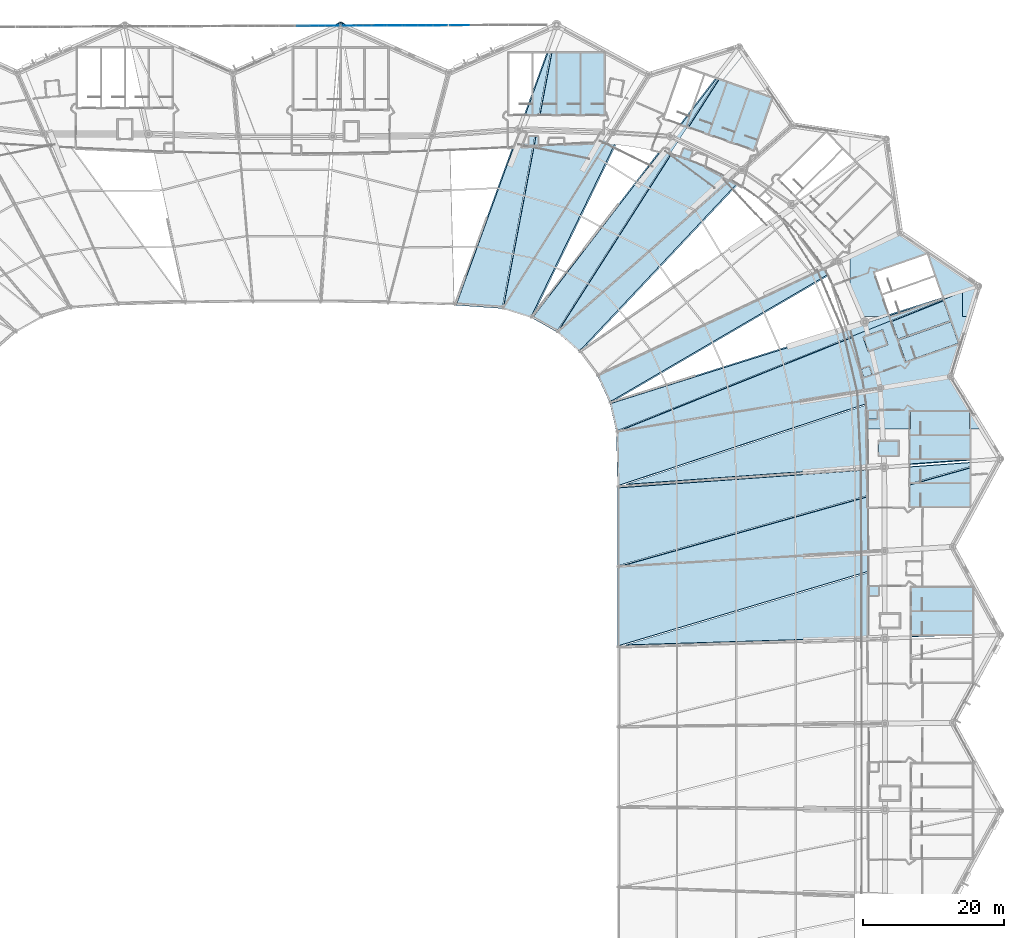
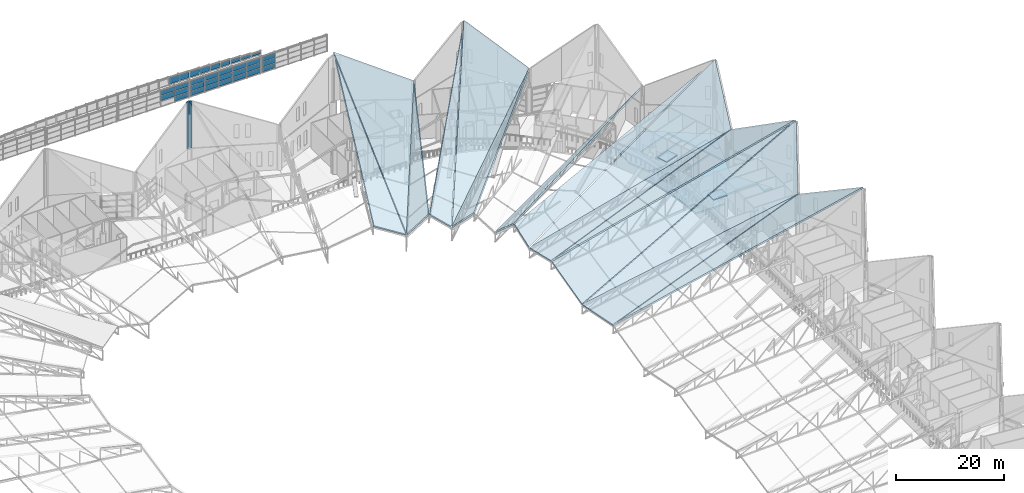
# One storey, part 239 of 344: 33 plates, 19 slabs, 12 elements without a shape of their own.
"""IFC4 building model written with IfcOpenShell, lengths in metres."""

from ifc_helpers import new_model, si_unit, direction, frame, origin, origin_2d, place, context, subcontext, project, spatial, polyline, rectangle, outline, extrude, material, layer, layer_set, type_object, element, aggregate, save


model = new_model("IFC4")

# Units and contexts
model_context = context("Model", 3, precision=1e-05, world=origin(), true_north=direction((0.0, 1.0)))
body_context = subcontext(model_context, "Body", "Model", "MODEL_VIEW")
ifc_project = project(units=[si_unit("LENGTHUNIT", "METRE"), si_unit("AREAUNIT", "SQUARE_METRE"), si_unit("VOLUMEUNIT", "CUBIC_METRE"), si_unit("PLANEANGLEUNIT", "RADIAN"), si_unit("MASSUNIT", "GRAM", prefix="KILO")], contexts=[model_context])

# Site, building, storey
site_placement = place(None, origin())
site = spatial("IfcSite", under=ifc_project, at=site_placement, CompositionType="ELEMENT")
building_placement = place(site_placement, origin())
building = spatial("IfcBuilding", under=site, at=building_placement, Name="Meseta Stadium", CompositionType="ELEMENT")
storey_placement = place(building_placement, frame((0.0, 0.0, 24.0)))
storey = spatial("IfcBuildingStorey", under=building, at=storey_placement, Name="L04", CompositionType="ELEMENT", Elevation=24.0)

# Curtain wall, plate
ifc_material_1 = material(Name="Aluminium", Category="aluminium")
ifc_layer_1 = layer(ifc_material_1, 0.199951171875)
ifc_layer_set_1 = layer_set([ifc_layer_1], Name="Gable glazing curtain wall")
curtain_wall_type = type_object("IfcCurtainWallType", Name="Gable glazing curtain wall", PredefinedType="NOTDEFINED", material=ifc_layer_set_1)
curtain_wall_1_placement = place(storey_placement, origin())
curtain_wall_1 = element("IfcCurtainWall", 1, at=curtain_wall_1_placement, inside=storey, type_object=curtain_wall_type, Name="Gable glazing north bay 08", PredefinedType="NOTDEFINED")
ifc_material_2 = material(Name="Glass", Category="glass")
ifc_layer_2 = layer(ifc_material_2, 0.035888671875)
ifc_layer_set_2 = layer_set([ifc_layer_2], Name="CW glass panel 36")
plate_type_1 = type_object("IfcPlateType", Name="CW glass panel 36", PredefinedType="CURTAIN_PANEL", material=ifc_layer_set_2)
plate_1_placement = place(storey_placement, frame((21.880615234375, 105.336669921875, 22.0048828125), z_axis=(0.0, 0.0, 1.0), x_axis=(-0.999992598213, -0.003847534233, 0.0)))
plate_1 = element("IfcPlate", 2, at=plate_1_placement, type_object=plate_type_1, Name="CWG panel 1.1", PredefinedType="CURTAIN_PANEL", context=body_context, shape_type="SweptSolid", body=[
    extrude(rectangle(XDim=2.002685546875, YDim=0.035888671875, at=origin_2d()), origin(), (0.0, 0.0, 1.0), 0.43701171875),
])
aggregate(curtain_wall_1, [plate_1])

curtain_wall_2_placement = place(storey_placement, origin())
curtain_wall_2 = element("IfcCurtainWall", 3, at=curtain_wall_2_placement, inside=storey, type_object=curtain_wall_type, Name="Gable glazing north bay 09", PredefinedType="NOTDEFINED")
plate_2_placement = place(storey_placement, frame((19.694091796875, 105.328369140625, 22.0048828125), z_axis=(0.0, 0.0, 1.0), x_axis=(-0.999992598213, -0.003847534233, 0.0)))
plate_2 = element("IfcPlate", 4, at=plate_2_placement, type_object=plate_type_1, Name="CWG panel 1.1", PredefinedType="CURTAIN_PANEL", context=body_context, shape_type="SweptSolid", body=[
    extrude(rectangle(XDim=2.002685546875, YDim=0.035888671875, at=origin_2d()), origin(), (0.0, 0.0, 1.0), 0.589111328125),
])
aggregate(curtain_wall_2, [plate_2])

curtain_wall_3_placement = place(storey_placement, origin())
curtain_wall_3 = element("IfcCurtainWall", 5, at=curtain_wall_3_placement, inside=storey, type_object=curtain_wall_type, Name="Gable glazing north bay 10", PredefinedType="NOTDEFINED")
plate_3_placement = place(storey_placement, frame((17.50732421875, 105.31982421875, 22.0048828125), z_axis=(0.0, 0.0, 1.0), x_axis=(-0.999992598213, -0.003847534233, 0.0)))
plate_3 = element("IfcPlate", 6, at=plate_3_placement, type_object=plate_type_1, Name="CWG panel 1.1", PredefinedType="CURTAIN_PANEL", context=body_context, shape_type="SweptSolid", body=[
    extrude(rectangle(XDim=2.002685546875, YDim=0.035888671875, at=origin_2d()), origin(), (0.0, 0.0, 1.0), 0.778564453125),
])
aggregate(curtain_wall_3, [plate_3])

curtain_wall_4_placement = place(storey_placement, origin())
curtain_wall_4 = element("IfcCurtainWall", 7, at=curtain_wall_4_placement, inside=storey, type_object=curtain_wall_type, Name="Gable glazing north bay 11", PredefinedType="NOTDEFINED")
plate_4_placement = place(storey_placement, frame((15.320556640625, 105.3115234375, 22.0048828125), z_axis=(0.0, 0.0, 1.0), x_axis=(-0.999992598213, -0.003847534233, 0.0)))
plate_4 = element("IfcPlate", 8, at=plate_4_placement, type_object=plate_type_1, Name="CWG panel 1.1", PredefinedType="CURTAIN_PANEL", context=body_context, shape_type="SweptSolid", body=[
    extrude(rectangle(XDim=2.002685546875, YDim=0.035888671875, at=origin_2d()), origin(), (0.0, 0.0, 1.0), 0.905517578125),
])
aggregate(curtain_wall_4, [plate_4])

curtain_wall_5_placement = place(storey_placement, origin())
curtain_wall_5 = element("IfcCurtainWall", 9, at=curtain_wall_5_placement, inside=storey, type_object=curtain_wall_type, Name="Gable glazing north bay 12", PredefinedType="NOTDEFINED")
plate_5_placement = place(storey_placement, frame((13.1337890625, 105.302978515625, 22.0048828125), z_axis=(0.0, 0.0, 1.0), x_axis=(-0.999992598213, -0.003847534233, 0.0)))
plate_5 = element("IfcPlate", 10, at=plate_5_placement, type_object=plate_type_1, Name="CWG panel 1.1", PredefinedType="CURTAIN_PANEL", context=body_context, shape_type="SweptSolid", body=[
    extrude(rectangle(XDim=2.002685546875, YDim=0.035888671875, at=origin_2d()), origin(), (0.0, 0.0, 1.0), 1.02001953125),
])
aggregate(curtain_wall_5, [plate_5])

curtain_wall_6_placement = place(storey_placement, origin())
curtain_wall_6 = element("IfcCurtainWall", 11, at=curtain_wall_6_placement, inside=storey, type_object=curtain_wall_type, Name="Gable glazing north bay 13", PredefinedType="NOTDEFINED")
plate_6_placement = place(storey_placement, frame((10.947265625, 105.294677734375, 22.0048828125), z_axis=(0.0, 0.0, 1.0), x_axis=(-0.999992598213, -0.003847534233, 0.0)))
plate_6 = element("IfcPlate", 12, at=plate_6_placement, type_object=plate_type_1, Name="CWG panel 1.1", PredefinedType="CURTAIN_PANEL", context=body_context, shape_type="SweptSolid", body=[
    extrude(rectangle(XDim=2.002685546875, YDim=0.035888671875, at=origin_2d()), origin(), (0.0, 0.0, 1.0), 1.12255859375),
])
aggregate(curtain_wall_6, [plate_6])

curtain_wall_7_placement = place(storey_placement, origin())
curtain_wall_7 = element("IfcCurtainWall", 13, at=curtain_wall_7_placement, inside=storey, type_object=curtain_wall_type, Name="Gable glazing north bay 14", PredefinedType="NOTDEFINED")
plate_7_placement = place(storey_placement, frame((8.760498046875, 105.2861328125, 22.0048828125), z_axis=(0.0, 0.0, 1.0), x_axis=(-0.999992598213, -0.003847534233, 0.0)))
plate_7 = element("IfcPlate", 14, at=plate_7_placement, type_object=plate_type_1, Name="CWG panel 1.1", PredefinedType="CURTAIN_PANEL", context=body_context, shape_type="SweptSolid", body=[
    extrude(rectangle(XDim=2.002685546875, YDim=0.035888671875, at=origin_2d()), origin(), (0.0, 0.0, 1.0), 1.213134765625),
])
aggregate(curtain_wall_7, [plate_7])

curtain_wall_8_placement = place(storey_placement, origin())
curtain_wall_8 = element("IfcCurtainWall", 15, at=curtain_wall_8_placement, inside=storey, type_object=curtain_wall_type, Name="Gable glazing north bay 15", PredefinedType="NOTDEFINED")
plate_8_placement = place(storey_placement, frame((6.570068359375, 105.27783203125, 22.0048828125), z_axis=(0.0, 0.0, 1.0), x_axis=(-0.999992598211, -0.003847534652, 0.0)))
plate_8 = element("IfcPlate", 16, at=plate_8_placement, type_object=plate_type_1, Name="CWG panel 1.1", PredefinedType="CURTAIN_PANEL", context=body_context, shape_type="SweptSolid", body=[
    extrude(rectangle(XDim=2.01025390625, YDim=0.035888671875, at=origin_2d()), origin(), (0.0, 0.0, 1.0), 1.292236328125),
])
aggregate(curtain_wall_8, [plate_8])

curtain_wall_9_placement = place(storey_placement, origin())
curtain_wall_9 = element("IfcCurtainWall", 17, at=curtain_wall_9_placement, inside=storey, type_object=curtain_wall_type, Name="Gable glazing north bay 16", PredefinedType="NOTDEFINED")
plate_9_placement = place(storey_placement, frame((4.375732421875, 105.269287109375, 22.0048828125), z_axis=(0.0, 0.0, 1.0), x_axis=(-0.999992598213, -0.003847534181, 0.0)))
plate_9 = element("IfcPlate", 18, at=plate_9_placement, type_object=plate_type_1, Name="CWG panel 1.1", PredefinedType="CURTAIN_PANEL", context=body_context, shape_type="SweptSolid", body=[
    extrude(rectangle(XDim=2.01025390625, YDim=0.035888671875, at=origin_2d()), origin(), (0.0, 0.0, 1.0), 1.3603515625),
])
aggregate(curtain_wall_9, [plate_9])

# Curtain wall, plates
curtain_wall_10_placement = place(storey_placement, origin())
curtain_wall_10 = element("IfcCurtainWall", 19, at=curtain_wall_10_placement, inside=storey, type_object=curtain_wall_type, Name="Gable glazing north lower bay 01", PredefinedType="NOTDEFINED")
plate_10_placement = place(storey_placement, frame((24.567626953125, 105.346923828125, 17.75), z_axis=(0.0, 0.0, 1.0), x_axis=(-0.999992598213, -0.003847534181, 0.0)))
plate_10 = element("IfcPlate", 20, at=plate_10_placement, type_object=plate_type_1, Name="CWG panel 5.1", PredefinedType="CURTAIN_PANEL", context=body_context, shape_type="SweptSolid", body=[
    extrude(rectangle(XDim=2.67626953125, YDim=0.035888671875, at=origin_2d()), origin(), (0.0, 0.0, 1.0), 0.986572265625),
])
plate_11_placement = place(storey_placement, frame((24.567626953125, 105.346923828125, 18.88671875), z_axis=(0.0, 0.0, 1.0), x_axis=(-0.999992598213, -0.003847534181, 0.0)))
plate_11 = element("IfcPlate", 21, at=plate_11_placement, type_object=plate_type_1, Name="CWG panel 5.2", PredefinedType="CURTAIN_PANEL", context=body_context, shape_type="SweptSolid", body=[
    extrude(rectangle(XDim=2.67626953125, YDim=0.035888671875, at=origin_2d()), origin(), (0.0, 0.0, 1.0), 1.061767578125),
])
plate_12_placement = place(storey_placement, frame((24.567626953125, 105.346923828125, 20.09814453125), z_axis=(0.0, 0.0, 1.0), x_axis=(-0.999992598213, -0.003847534181, 0.0)))
plate_12 = element("IfcPlate", 22, at=plate_12_placement, type_object=plate_type_1, Name="CWG panel 5.3", PredefinedType="CURTAIN_PANEL", context=body_context, shape_type="SweptSolid", body=[
    extrude(rectangle(XDim=2.67626953125, YDim=0.035888671875, at=origin_2d()), origin(), (0.0, 0.0, 1.0), 0.986572265625),
])
aggregate(curtain_wall_10, [plate_10, plate_11, plate_12])

curtain_wall_11_placement = place(storey_placement, origin())
curtain_wall_11 = element("IfcCurtainWall", 23, at=curtain_wall_11_placement, inside=storey, type_object=curtain_wall_type, Name="Gable glazing north lower bay 02", PredefinedType="NOTDEFINED")
plate_13_placement = place(storey_placement, frame((21.27197265625, 105.33447265625, 17.75), z_axis=(0.0, 0.0, 1.0), x_axis=(-0.999992598213, -0.003847534198, 0.0)))
plate_13 = element("IfcPlate", 24, at=plate_13_placement, type_object=plate_type_1, Name="CWG panel 1.1", PredefinedType="CURTAIN_PANEL", context=body_context, shape_type="SweptSolid", body=[
    extrude(rectangle(XDim=2.893310546875, YDim=0.035888671875, at=origin_2d()), origin(), (0.0, 0.0, 1.0), 0.986572265625),
])
plate_14_placement = place(storey_placement, frame((21.27197265625, 105.33447265625, 18.88671875), z_axis=(0.0, 0.0, 1.0), x_axis=(-0.999992598213, -0.003847534198, 0.0)))
plate_14 = element("IfcPlate", 25, at=plate_14_placement, type_object=plate_type_1, Name="CWG panel 1.2", PredefinedType="CURTAIN_PANEL", context=body_context, shape_type="SweptSolid", body=[
    extrude(rectangle(XDim=2.893310546875, YDim=0.035888671875, at=origin_2d()), origin(), (0.0, 0.0, 1.0), 1.061767578125),
])
plate_15_placement = place(storey_placement, frame((21.27197265625, 105.33447265625, 20.09814453125), z_axis=(0.0, 0.0, 1.0), x_axis=(-0.999992598213, -0.003847534198, 0.0)))
plate_15 = element("IfcPlate", 26, at=plate_15_placement, type_object=plate_type_1, Name="CWG panel 1.3", PredefinedType="CURTAIN_PANEL", context=body_context, shape_type="SweptSolid", body=[
    extrude(rectangle(XDim=2.893310546875, YDim=0.035888671875, at=origin_2d()), origin(), (0.0, 0.0, 1.0), 0.986572265625),
])
plate_16_placement = place(storey_placement, frame((18.3037109375, 105.322998046875, 17.75), z_axis=(0.0, 0.0, 1.0), x_axis=(-0.999992598213, -0.003847534198, 0.0)))
plate_16 = element("IfcPlate", 27, at=plate_16_placement, type_object=plate_type_1, Name="CWG panel 2.1", PredefinedType="CURTAIN_PANEL", context=body_context, shape_type="SweptSolid", body=[
    extrude(rectangle(XDim=2.923095703125, YDim=0.035888671875, at=origin_2d()), origin(), (0.0, 0.0, 1.0), 0.986572265625),
])
plate_17_placement = place(storey_placement, frame((18.3037109375, 105.322998046875, 18.88671875), z_axis=(0.0, 0.0, 1.0), x_axis=(-0.999992598213, -0.003847534198, 0.0)))
plate_17 = element("IfcPlate", 28, at=plate_17_placement, type_object=plate_type_1, Name="CWG panel 2.2", PredefinedType="CURTAIN_PANEL", context=body_context, shape_type="SweptSolid", body=[
    extrude(rectangle(XDim=2.923095703125, YDim=0.035888671875, at=origin_2d()), origin(), (0.0, 0.0, 1.0), 1.061767578125),
])
plate_18_placement = place(storey_placement, frame((18.3037109375, 105.322998046875, 20.09814453125), z_axis=(0.0, 0.0, 1.0), x_axis=(-0.999992598213, -0.003847534198, 0.0)))
plate_18 = element("IfcPlate", 29, at=plate_18_placement, type_object=plate_type_1, Name="CWG panel 2.3", PredefinedType="CURTAIN_PANEL", context=body_context, shape_type="SweptSolid", body=[
    extrude(rectangle(XDim=2.923095703125, YDim=0.035888671875, at=origin_2d()), origin(), (0.0, 0.0, 1.0), 0.986572265625),
])
plate_19_placement = place(storey_placement, frame((15.320556640625, 105.3115234375, 17.75), z_axis=(0.0, 0.0, 1.0), x_axis=(-0.999992598213, -0.003847534198, 0.0)))
plate_19 = element("IfcPlate", 30, at=plate_19_placement, type_object=plate_type_1, Name="CWG panel 3.1", PredefinedType="CURTAIN_PANEL", context=body_context, shape_type="SweptSolid", body=[
    extrude(rectangle(XDim=2.923095703125, YDim=0.035888671875, at=origin_2d()), origin(), (0.0, 0.0, 1.0), 0.986572265625),
])
plate_20_placement = place(storey_placement, frame((15.320556640625, 105.3115234375, 18.88671875), z_axis=(0.0, 0.0, 1.0), x_axis=(-0.999992598213, -0.003847534198, 0.0)))
plate_20 = element("IfcPlate", 31, at=plate_20_placement, type_object=plate_type_1, Name="CWG panel 3.2", PredefinedType="CURTAIN_PANEL", context=body_context, shape_type="SweptSolid", body=[
    extrude(rectangle(XDim=2.923095703125, YDim=0.035888671875, at=origin_2d()), origin(), (0.0, 0.0, 1.0), 1.061767578125),
])
plate_21_placement = place(storey_placement, frame((15.320556640625, 105.3115234375, 20.09814453125), z_axis=(0.0, 0.0, 1.0), x_axis=(-0.999992598213, -0.003847534198, 0.0)))
plate_21 = element("IfcPlate", 32, at=plate_21_placement, type_object=plate_type_1, Name="CWG panel 3.3", PredefinedType="CURTAIN_PANEL", context=body_context, shape_type="SweptSolid", body=[
    extrude(rectangle(XDim=2.923095703125, YDim=0.035888671875, at=origin_2d()), origin(), (0.0, 0.0, 1.0), 0.986572265625),
])
plate_22_placement = place(storey_placement, frame((12.33740234375, 105.300048828125, 17.75), z_axis=(0.0, 0.0, 1.0), x_axis=(-0.999992598213, -0.003847534198, 0.0)))
plate_22 = element("IfcPlate", 33, at=plate_22_placement, type_object=plate_type_1, Name="CWG panel 4.1", PredefinedType="CURTAIN_PANEL", context=body_context, shape_type="SweptSolid", body=[
    extrude(rectangle(XDim=2.923095703125, YDim=0.035888671875, at=origin_2d()), origin(), (0.0, 0.0, 1.0), 0.986572265625),
])
plate_23_placement = place(storey_placement, frame((12.33740234375, 105.300048828125, 18.88671875), z_axis=(0.0, 0.0, 1.0), x_axis=(-0.999992598213, -0.003847534198, 0.0)))
plate_23 = element("IfcPlate", 34, at=plate_23_placement, type_object=plate_type_1, Name="CWG panel 4.2", PredefinedType="CURTAIN_PANEL", context=body_context, shape_type="SweptSolid", body=[
    extrude(rectangle(XDim=2.923095703125, YDim=0.035888671875, at=origin_2d()), origin(), (0.0, 0.0, 1.0), 1.061767578125),
])
plate_24_placement = place(storey_placement, frame((12.33740234375, 105.300048828125, 20.09814453125), z_axis=(0.0, 0.0, 1.0), x_axis=(-0.999992598213, -0.003847534198, 0.0)))
plate_24 = element("IfcPlate", 35, at=plate_24_placement, type_object=plate_type_1, Name="CWG panel 4.3", PredefinedType="CURTAIN_PANEL", context=body_context, shape_type="SweptSolid", body=[
    extrude(rectangle(XDim=2.923095703125, YDim=0.035888671875, at=origin_2d()), origin(), (0.0, 0.0, 1.0), 0.986572265625),
])
plate_25_placement = place(storey_placement, frame((9.369140625, 105.28857421875, 17.75), z_axis=(0.0, 0.0, 1.0), x_axis=(-0.999992598213, -0.003847534198, 0.0)))
plate_25 = element("IfcPlate", 36, at=plate_25_placement, type_object=plate_type_1, Name="CWG panel 5.1", PredefinedType="CURTAIN_PANEL", context=body_context, shape_type="SweptSolid", body=[
    extrude(rectangle(XDim=2.893310546875, YDim=0.035888671875, at=origin_2d()), origin(), (0.0, 0.0, 1.0), 0.986572265625),
])
plate_26_placement = place(storey_placement, frame((9.369140625, 105.28857421875, 18.88671875), z_axis=(0.0, 0.0, 1.0), x_axis=(-0.999992598213, -0.003847534198, 0.0)))
plate_26 = element("IfcPlate", 37, at=plate_26_placement, type_object=plate_type_1, Name="CWG panel 5.2", PredefinedType="CURTAIN_PANEL", context=body_context, shape_type="SweptSolid", body=[
    extrude(rectangle(XDim=2.893310546875, YDim=0.035888671875, at=origin_2d()), origin(), (0.0, 0.0, 1.0), 1.061767578125),
])
plate_27_placement = place(storey_placement, frame((9.369140625, 105.28857421875, 20.09814453125), z_axis=(0.0, 0.0, 1.0), x_axis=(-0.999992598213, -0.003847534198, 0.0)))
plate_27 = element("IfcPlate", 38, at=plate_27_placement, type_object=plate_type_1, Name="CWG panel 5.3", PredefinedType="CURTAIN_PANEL", context=body_context, shape_type="SweptSolid", body=[
    extrude(rectangle(XDim=2.893310546875, YDim=0.035888671875, at=origin_2d()), origin(), (0.0, 0.0, 1.0), 0.986572265625),
])
aggregate(curtain_wall_11, [plate_13, plate_14, plate_15, plate_16, plate_17, plate_18, plate_19, plate_20, plate_21, plate_22, plate_23, plate_24, plate_25, plate_26, plate_27])

curtain_wall_12_placement = place(storey_placement, origin())
curtain_wall_12 = element("IfcCurtainWall", 39, at=curtain_wall_12_placement, inside=storey, type_object=curtain_wall_type, Name="Gable glazing north lower bay 03", PredefinedType="NOTDEFINED")
plate_28_placement = place(storey_placement, frame((5.959716796875, 105.275390625, 17.75), z_axis=(0.0, 0.0, 1.0), x_axis=(-0.999992598213, -0.003847534216, 0.0)))
plate_28 = element("IfcPlate", 40, at=plate_28_placement, type_object=plate_type_1, Name="CWG panel 1.1", PredefinedType="CURTAIN_PANEL", context=body_context, shape_type="SweptSolid", body=[
    extrude(rectangle(XDim=2.903564453125, YDim=0.035888671875, at=origin_2d()), origin(), (0.0, 0.0, 1.0), 0.986572265625),
])
plate_29_placement = place(storey_placement, frame((5.959716796875, 105.275390625, 18.88671875), z_axis=(0.0, 0.0, 1.0), x_axis=(-0.999992598213, -0.003847534216, 0.0)))
plate_29 = element("IfcPlate", 41, at=plate_29_placement, type_object=plate_type_1, Name="CWG panel 1.2", PredefinedType="CURTAIN_PANEL", context=body_context, shape_type="SweptSolid", body=[
    extrude(rectangle(XDim=2.903564453125, YDim=0.035888671875, at=origin_2d()), origin(), (0.0, 0.0, 1.0), 1.061767578125),
])
plate_30_placement = place(storey_placement, frame((5.959716796875, 105.275390625, 20.09814453125), z_axis=(0.0, 0.0, 1.0), x_axis=(-0.999992598213, -0.003847534216, 0.0)))
plate_30 = element("IfcPlate", 42, at=plate_30_placement, type_object=plate_type_1, Name="CWG panel 1.3", PredefinedType="CURTAIN_PANEL", context=body_context, shape_type="SweptSolid", body=[
    extrude(rectangle(XDim=2.903564453125, YDim=0.035888671875, at=origin_2d()), origin(), (0.0, 0.0, 1.0), 0.986572265625),
])
plate_31_placement = place(storey_placement, frame((2.981201171875, 105.263916015625, 18.88671875), z_axis=(0.0, 0.0, 1.0), x_axis=(-0.999992598213, -0.003847534216, 0.0)))
plate_31 = element("IfcPlate", 43, at=plate_31_placement, type_object=plate_type_1, Name="CWG panel 2.2", PredefinedType="CURTAIN_PANEL", context=body_context, shape_type="SweptSolid", body=[
    extrude(rectangle(XDim=2.93359375, YDim=0.035888671875, at=origin_2d()), origin(), (0.0, 0.0, 1.0), 1.061767578125),
])
plate_32_placement = place(storey_placement, frame((2.981201171875, 105.263916015625, 20.09814453125), z_axis=(0.0, 0.0, 1.0), x_axis=(-0.999992598213, -0.003847534216, 0.0)))
plate_32 = element("IfcPlate", 44, at=plate_32_placement, type_object=plate_type_1, Name="CWG panel 2.3", PredefinedType="CURTAIN_PANEL", context=body_context, shape_type="SweptSolid", body=[
    extrude(rectangle(XDim=2.93359375, YDim=0.035888671875, at=origin_2d()), origin(), (0.0, 0.0, 1.0), 0.986572265625),
])
aggregate(curtain_wall_12, [plate_28, plate_29, plate_30, plate_31, plate_32])

# Slabs
ifc_material_3 = material(Name="Concrete C40/50", Category="concrete")
ifc_layer_3 = layer(ifc_material_3, 0.25)
ifc_layer_set_3 = layer_set([ifc_layer_3], Name="Core roof slab 250")
slab_type_1 = type_object("IfcSlabType", Name="Core roof slab 250", PredefinedType="ROOF", material=ifc_layer_set_3)
slab_1_placement = place(storey_placement, frame((0.0, 0.0, 4.60009765625)))
element("IfcSlab", 45, at=slab_1_placement, inside=storey, type_object=slab_type_1, Name="Core 05 lift overrun roof", PredefinedType="ROOF", context=body_context, shape_type="SweptSolid", body=[
    extrude(outline(polyline([(87.0, 44.10009765625), (84.0, 44.10009765625), (84.0, 46.39990234375), (87.0, 46.39990234375), (87.0, 44.10009765625)])), origin(), (0.0, 0.0, 1.0), 0.25),
])
slab_2_placement = place(storey_placement, frame((0.0, 0.0, 4.60009765625)))
element("IfcSlab", 46, at=slab_2_placement, inside=storey, type_object=slab_type_1, Name="Core 06 lift overrun roof", PredefinedType="ROOF", context=body_context, shape_type="SweptSolid", body=[
    extrude(outline(polyline([(85.432861328125, 59.93115234375), (82.60107421875, 58.940185546875), (81.841552734375, 61.111083984375), (84.673095703125, 62.10205078125), (85.432861328125, 59.93115234375)])), origin(), (0.0, 0.0, 1.0), 0.25),
])
ifc_material_4 = material(Name="Concrete C40/50", Category="concrete")
ifc_layer_4 = layer(ifc_material_4, 0.39990234375)
ifc_layer_set_4 = layer_set([ifc_layer_4], Name="Floor slab 400")
slab_type_2 = type_object("IfcSlabType", Name="Floor slab 400", PredefinedType="FLOOR", material=ifc_layer_set_4)
slab_3_placement = place(storey_placement, frame((0.0, 0.0, -0.39990234375)))
element("IfcSlab", 47, at=slab_3_placement, inside=storey, type_object=slab_type_2, Name="Floor slab L04 sector 07 panel 07", PredefinedType="FLOOR", context=body_context, shape_type="SweptSolid", body=[
    extrude(outline(polyline([(84.956787109375, 64.0), (85.63037109375, 64.211181640625), (84.647705078125, 67.01953125), (92.104248046875, 69.62890625), (93.1611328125, 66.6083984375), (92.1708984375, 66.26171875), (96.0, 67.46240234375), (96.0, 64.0), (96.955078125, 64.0), (98.291015625, 68.297607421875), (87.15087890625, 75.856689453125), (80.0, 72.48828125), (80.0, 68.13232421875), (81.772705078125, 64.0), (84.956787109375, 64.0)]), holes=[polyline([(90.981201171875, 72.837890625), (92.0380859375, 69.8173828125), (84.58154296875, 67.208251953125), (83.524658203125, 70.228759765625), (90.981201171875, 72.837890625)])]), origin(), (0.0, 0.0, 1.0), 0.39990234375),
])
slab_4_placement = place(storey_placement, frame((0.0, 0.0, -0.39990234375)))
element("IfcSlab", 48, at=slab_4_placement, inside=storey, type_object=slab_type_2, Name="Floor slab L04 sector 07 panel 08", PredefinedType="FLOOR", context=body_context, shape_type="SweptSolid", body=[
    extrude(outline(polyline([(85.70458984375, 63.9990234375), (85.63037109375, 64.211181640625), (79.852783203125, 62.399658203125), (80.31591796875, 60.90966796875), (80.735595703125, 59.406982421875), (81.11181640625, 57.89306640625), (81.444091796875, 56.368896484375), (81.732421875, 54.83544921875), (81.976318359375, 53.294189453125), (82.176025390625, 51.74609375), (82.330810546875, 50.19287109375), (82.44091796875, 48.63525390625), (82.44482421875, 48.0), (88.60009765625, 48.0), (88.60009765625, 50.449951171875), (97.0, 50.449951171875), (97.0, 48.0), (98.81689453125, 48.0), (94.29443359375, 55.44140625), (96.955078125, 64.0), (96.0, 64.0), (96.0, 67.46240234375), (92.1708984375, 66.26171875), (85.70458984375, 63.9990234375)]), holes=[polyline([(86.827392578125, 60.789794921875), (85.7705078125, 63.810302734375), (93.227294921875, 66.419677734375), (94.2841796875, 63.399169921875), (86.827392578125, 60.789794921875)]), polyline([(85.177978515625, 60.0537109375), (82.723876953125, 59.195068359375), (82.09619140625, 60.988525390625), (84.55029296875, 61.84716796875), (85.177978515625, 60.0537109375)]), polyline([(82.006103515625, 55.341796875), (81.60986328125, 56.474609375), (82.74267578125, 56.870849609375), (83.138916015625, 55.73828125), (82.006103515625, 55.341796875)]), polyline([(82.64990234375, 50.60009765625), (83.85009765625, 50.60009765625), (83.85009765625, 49.39990234375), (82.64990234375, 49.39990234375), (82.64990234375, 50.60009765625)]), polyline([(86.8935546875, 60.601318359375), (94.35009765625, 63.21044921875), (95.406982421875, 60.18994140625), (87.950439453125, 57.580810546875), (86.8935546875, 60.601318359375)])]), origin(), (0.0, 0.0, 1.0), 0.39990234375),
])

# Plate
ifc_material_5 = material(Name="White precast concrete C40/50", Category="concrete")
ifc_layer_5 = layer(ifc_material_5, 0.320068359375)
ifc_layer_set_5 = layer_set([ifc_layer_5], Name="Fold closer plate 320")
plate_type_2 = type_object("IfcPlateType", Name="Fold closer plate 320", PredefinedType="USERDEFINED", material=ifc_layer_set_5)
plate_33_placement = place(storey_placement, frame((0.0, 0.0, 6.0)))
element("IfcPlate", 49, at=plate_33_placement, inside=storey, type_object=plate_type_2, Name="Pleated fascia fold closer L04 F17", ObjectType="CLADDING", PredefinedType="USERDEFINED", context=body_context, shape_type="SweptSolid", body=[
    extrude(outline(polyline([(7.851806640625, 105.36181640625), (8.139404296875, 105.23388671875), (8.269287109375, 105.526611328125), (7.666748046875, 105.793701171875), (7.064208984375, 105.526611328125), (7.19384765625, 105.23388671875), (7.481689453125, 105.36181640625), (7.481689453125, 105.574951171875), (7.48388671875, 105.581298828125), (7.48974609375, 105.584716796875), (7.84716796875, 105.583251953125), (7.851806640625, 105.574951171875), (7.851806640625, 105.36181640625)])), origin(), (0.0, 0.0, 1.0), 10.482421875),
])

# Slabs
ifc_material_6 = material(Name="Precast concrete C40/50", Category="concrete")
ifc_layer_6 = layer(ifc_material_6, 0.300048828125)
ifc_layer_set_6 = layer_set([ifc_layer_6], Name="Roof plate 300")
slab_type_3 = type_object("IfcSlabType", Name="Roof plate 300", PredefinedType="ROOF", material=ifc_layer_set_6)
slab_5_placement = place(storey_placement, frame((46.990966796875, 28.453369140625, 3.7294921875), z_axis=(-0.143309945884, 0.1944806594, 0.97038112746), x_axis=(0.989215714087, 0.058109372585, 0.134445423209)))
element("IfcSlab", 50, at=slab_5_placement, inside=storey, type_object=slab_type_3, Name="Roof panel RP-06 A", PredefinedType="ROOF", context=body_context, shape_type="SweptSolid", body=[
    extrude(outline(polyline([(0.0, 0.0), (47.69847603443747, 0.0), (-0.3456059547069046, -11.498821843491665), (0.0, 0.0)])), origin(), (0.0, 0.0, -1.0), 0.300048828125),
])
slab_6_placement = place(storey_placement, frame((101.2890625, 18.953857421875, 16.88916015625), z_axis=(-0.194113262451, 0.385203453924, 0.902185313794), x_axis=(-0.979756077818, -0.030217915797, -0.197901252)))
element("IfcSlab", 51, at=slab_6_placement, inside=storey, type_object=slab_type_3, Name="Roof panel RP-06 B", PredefinedType="ROOF", context=body_context, shape_type="SweptSolid", body=[
    extrude(outline(polyline([(0.0, 0.0), (54.26080503017794, -8.881784197001252e-16), (7.456209639584778, -13.48764880214586), (0.0, 0.0)])), origin(), (0.0, 0.0, -1.0), 0.300048828125),
])
slab_7_placement = place(storey_placement, frame((99.8642578125, 43.420166015625, 16.651611328125), z_axis=(-0.163832267308, -0.246042309226, 0.955312603424), x_axis=(-0.937190981478, -0.263480969568, -0.228584432784)))
element("IfcSlab", 52, at=slab_7_placement, inside=storey, type_object=slab_type_3, Name="Roof panel RP-07 A", PredefinedType="ROOF", context=body_context, shape_type="SweptSolid", body=[
    extrude(outline(polyline([(0.0, 0.0), (56.416773166361104, 4.440892098500626e-16), (52.859868132725616, -10.85182777893812), (0.0, 0.0)])), origin(), (0.0, 0.0, -1.0), 0.300048828125),
])
slab_8_placement = place(storey_placement, frame((94.60009765625, 31.25, 10.199951171875), z_axis=(-0.096151630916, -0.434792076243, 0.895382998671), x_axis=(-0.989216258517, -0.058104880026, -0.134443359088)))
element("IfcSlab", 53, at=slab_8_placement, inside=storey, type_object=slab_type_3, Name="Roof panel RP-07 B", PredefinedType="ROOF", context=body_context, shape_type="SweptSolid", body=[
    extrude(outline(polyline([(0.0, 0.0), (47.693760543430166, 0.0), (-8.291598865147622, -13.248057424767351), (0.0, 0.0)])), origin(), (0.0, 0.0, -1.0), 0.300048828125),
])
slab_9_placement = place(storey_placement, frame((46.829345703125, 47.633544921875, 4.92724609375), z_axis=(-0.142261387941, 0.211889705106, 0.966883886706), x_axis=(0.980864191269, 0.161348374307, 0.108959352027)))
element("IfcSlab", 54, at=slab_9_placement, inside=storey, type_object=slab_type_3, Name="Roof panel RP-08 A", PredefinedType="ROOF", context=body_context, shape_type="SweptSolid", body=[
    extrude(outline(polyline([(0.0, 0.0), (47.761862251288925, -6.661338147750939e-16), (-0.9075918535988443, -7.834523039145061), (0.0, 0.0)])), origin(), (0.0, 0.0, -1.0), 0.300048828125),
])
slab_10_placement = place(storey_placement, frame((101.2802734375, 43.94677734375, 16.885498046875), z_axis=(-0.198809190798, 0.399631675548, 0.894857211823), x_axis=(-0.979972839976, -0.070516835738, -0.186227304086)))
element("IfcSlab", 55, at=slab_10_placement, inside=storey, type_object=slab_type_3, Name="Roof panel RP-08 B", PredefinedType="ROOF", context=body_context, shape_type="SweptSolid", body=[
    extrude(outline(polyline([(0.0, 0.0), (54.22090041488592, 0.0), (7.230502609678801, -13.048595998268578), (0.0, 0.0)])), origin(), (0.0, 0.0, -1.0), 0.300048828125),
])
slab_11_placement = place(storey_placement, frame((95.108154296875, 67.10546875, 16.321533203125), z_axis=(0.065478424735, -0.619904549812, 0.781940486877), x_axis=(-0.906745792825, -0.364093564518, -0.21271563993)))
element("IfcSlab", 56, at=slab_11_placement, inside=storey, type_object=slab_type_3, Name="Roof panel RP-09 A", PredefinedType="ROOF", context=body_context, shape_type="SweptSolid", body=[
    extrude(outline(polyline([(0.0, 0.0), (53.263963706444635, 0.0), (51.99537132175069, -4.892385180485574), (0.0, 0.0)])), origin(), (0.0, 0.0, -1.0), 0.300048828125),
])
slab_12_placement = place(storey_placement, frame((94.29443359375, 55.44140625, 10.199951171875), z_axis=(-0.022496677998, -0.461967322826, 0.886611579058), x_axis=(-0.980864117211, -0.161349136903, -0.108958889441)))
element("IfcSlab", 57, at=slab_12_placement, inside=storey, type_object=slab_type_3, Name="Roof panel RP-09 B", PredefinedType="ROOF", context=body_context, shape_type="SweptSolid", body=[
    extrude(outline(polyline([(0.0, 0.0), (47.97044708716667, 0.0), (-6.676883077624991, -13.378190154771538), (0.0, 0.0)])), origin(), (0.0, 0.0, -1.0), 0.300048828125),
])
slab_13_placement = place(storey_placement, frame((86.370849609375, 75.489501953125, 10.1005859375), z_axis=(-0.353365384393, 0.54393609095, 0.761095548584), x_axis=(-0.898680448617, -0.423343095241, -0.114691215811)))
element("IfcSlab", 58, at=slab_13_placement, inside=storey, type_object=slab_type_3, Name="Roof panel RP-10 A", PredefinedType="ROOF", context=body_context, shape_type="SweptSolid", body=[
    extrude(outline(polyline([(0.0, 0.0), (47.02745836999949, 1.3322676295501878e-15), (46.66318919951108, 5.258274097681798), (46.12727259866133, 5.350782002548771), (0.0, 0.0)])), origin(), (0.0, 0.0, -1.0), 0.300048828125),
])
slab_14_placement = place(storey_placement, frame((71.26806640625, 90.633544921875, 10.091552734375), z_axis=(-0.514467185467, 0.429946558135, 0.741936299304), x_axis=(-0.744053522555, -0.653925015809, -0.136990617463)))
element("IfcSlab", 59, at=slab_14_placement, inside=storey, type_object=slab_type_3, Name="Roof panel RP-12 A", PredefinedType="ROOF", context=body_context, shape_type="SweptSolid", body=[
    extrude(outline(polyline([(0.0, 0.0), (44.166201000633265, 8.881784197001252e-16), (43.132571669775004, 5.451106016853085), (43.112817068484965, 5.338073468365012), (42.55331053329991, 5.422354688355226), (0.0, 0.0)])), origin(), (0.0, 0.0, -1.0), 0.300048828125),
])
slab_15_placement = place(storey_placement, frame((62.593994140625, 99.7763671875, 16.240966796875), z_axis=(0.365038468741, -0.486821295424, 0.793569116499), x_axis=(-0.519735443006, -0.813760704845, -0.260131859898)))
element("IfcSlab", 60, at=slab_15_placement, inside=storey, type_object=slab_type_3, Name="Roof panel RP-13 A", PredefinedType="ROOF", context=body_context, shape_type="SweptSolid", body=[
    extrude(outline(polyline([(0.0, 0.0), (46.67667331684317, 8.881784197001252e-16), (46.16509804522675, -4.812896094435289), (0.0, 0.0)])), origin(), (0.0, 0.0, -1.0), 0.300048828125),
])
slab_16_placement = place(storey_placement, frame((71.856689453125, 91.15087890625, 10.199951171875), z_axis=(0.196561597413, -0.410215152461, 0.890554359438), x_axis=(-0.744053669709, -0.653924867271, -0.136990527253)))
element("IfcSlab", 61, at=slab_16_placement, inside=storey, type_object=slab_type_3, Name="Roof panel RP-13 B", PredefinedType="ROOF", context=body_context, shape_type="SweptSolid", body=[
    extrude(outline(polyline([(0.0, 0.0), (44.622012129834125, 0.0), (-2.572534908965431, -14.747499127929508), (0.0, 0.0)])), origin(), (0.0, 0.0, -1.0), 0.300048828125),
])
slab_17_placement = place(storey_placement, frame((51.08203125, 97.7197265625, 10.07470703125), z_axis=(-0.645391836729, 0.246111923951, 0.723117070724), x_axis=(-0.521422772327, -0.833747790869, -0.181611986718)))
element("IfcSlab", 62, at=slab_17_placement, inside=storey, type_object=slab_type_3, Name="Roof panel RP-14 A", PredefinedType="ROOF", context=body_context, shape_type="SweptSolid", body=[
    extrude(outline(polyline([(0.0, 0.0), (39.123751919378584, 0.0), (37.37568484534884, 5.47983580381274), (37.36864891698549, 5.478795441050325), (37.34250260527219, 5.318446621857169), (36.77164085006787, 5.39124673713868), (0.0, 0.0)])), origin(), (0.0, 0.0, -1.0), 0.300048828125),
])
slab_18_placement = place(storey_placement, frame((37.9326171875, 103.748291015625, 16.47412109375), z_axis=(0.45820552869, -0.368588688055, 0.808820173163), x_axis=(-0.176486539704, -0.929576041423, -0.323636964073)))
element("IfcSlab", 63, at=slab_18_placement, inside=storey, type_object=slab_type_3, Name="Roof panel RP-15 A", PredefinedType="ROOF", context=body_context, shape_type="SweptSolid", body=[
    extrude(outline(polyline([(0.0, 0.0), (41.56932190716889, 0.0), (41.03234443245939, -7.595981760004408), (0.0, 0.0)])), origin(), (0.0, 0.0, -1.0), 0.300048828125),
])
slab_19_placement = place(storey_placement, frame((51.44140625, 98.29443359375, 10.199951171875), z_axis=(0.267272142517, -0.361705248413, 0.893160072498), x_axis=(-0.521417934598, -0.833750147953, -0.181615055181)))
element("IfcSlab", 64, at=slab_19_placement, inside=storey, type_object=slab_type_3, Name="Roof panel RP-15 B", PredefinedType="ROOF", context=body_context, shape_type="SweptSolid", body=[
    extrude(outline(polyline([(0.0, 0.0), (39.54857806438903, -1.7763568394002505e-15), (-0.32230755623918683, -16.275478430184965), (0.0, 0.0)])), origin(), (0.0, 0.0, -1.0), 0.300048828125),
])

save(model, "model.ifc")
